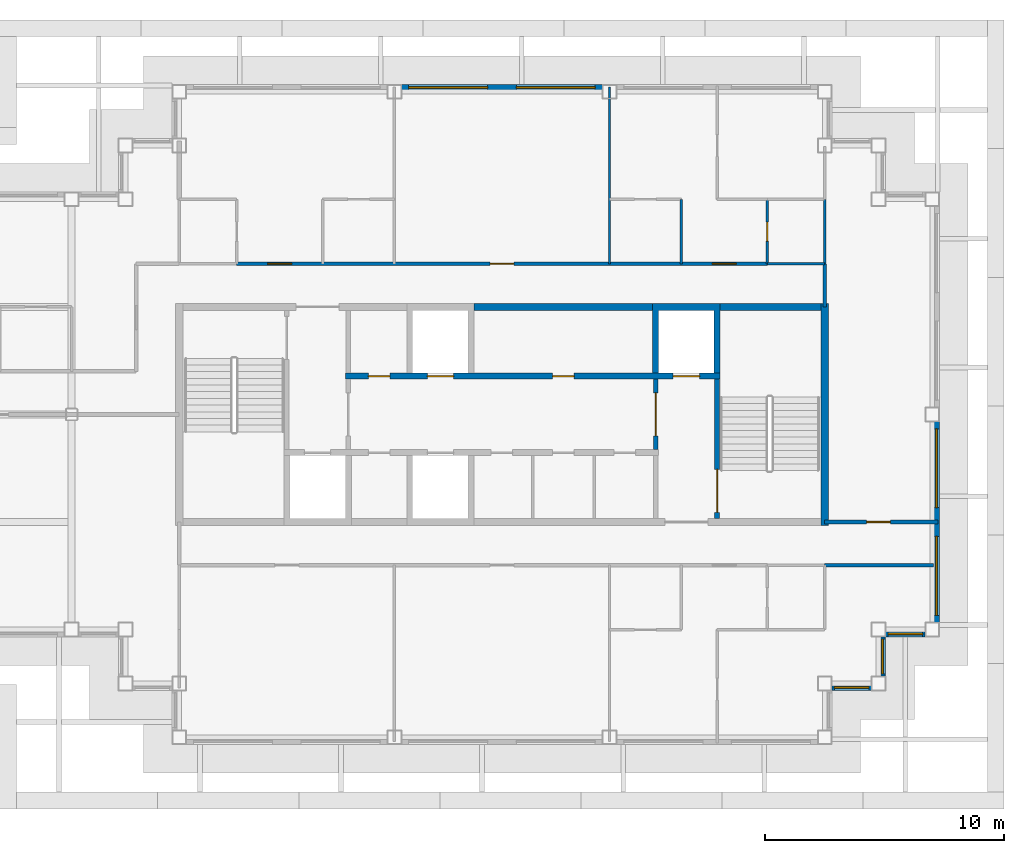
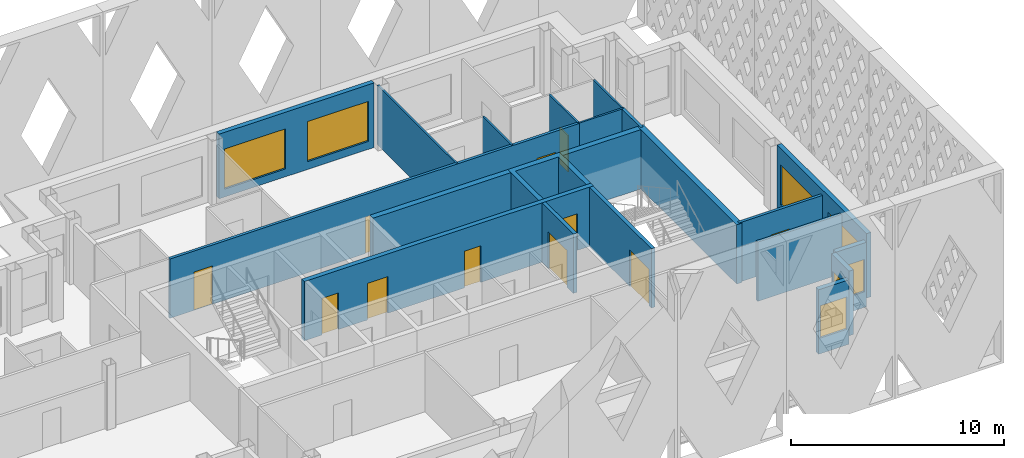
# One storey, part 5 of 13: 21 walls, 11 doors, 7 windows, 18 openings.
"""IFC4 building model written with IfcOpenShell, lengths in metres."""

from ifc_helpers import new_model, si_unit, direction, frame, frame_2d, origin, place, context, subcontext, project, spatial, polyline, rectangle, outline, extrude, material, layer, layer_set, type_object, element, fill, save


model = new_model("IFC4")

# Units and contexts
model_context = context("Model", 3, precision=1e-05, world=origin(), true_north=direction((0.0, 1.0)))
body_context = subcontext(model_context, "Body", "Model", "MODEL_VIEW")
ifc_project = project(units=[si_unit("LENGTHUNIT", "METRE"), si_unit("AREAUNIT", "SQUARE_METRE"), si_unit("VOLUMEUNIT", "CUBIC_METRE"), si_unit("PLANEANGLEUNIT", "RADIAN"), si_unit("MASSUNIT", "GRAM", prefix="KILO")], contexts=[model_context])

# Site, building, storey
site_placement = place(None, origin())
site = spatial("IfcSite", under=ifc_project, at=site_placement, CompositionType="ELEMENT")
building_placement = place(site_placement, origin())
building = spatial("IfcBuilding", under=site, at=building_placement, Name="Caravel Reach Hotel and Residences", CompositionType="ELEMENT")
storey_placement = place(building_placement, frame((0.0, 0.0, 267.5)))
storey = spatial("IfcBuildingStorey", under=building, at=storey_placement, Name="L68", CompositionType="ELEMENT", Elevation=267.5)

# Wall
ifc_material_1 = material(Name="Gypsum board on steel stud", Category="steel")
ifc_layer_1 = layer(ifc_material_1, 0.10009765625)
ifc_layer_set_1 = layer_set([ifc_layer_1], Name="Bathroom pod wall 100 mm")
wall_type_1 = type_object("IfcWallType", Name="Bathroom pod wall 100 mm", PredefinedType="PARTITIONING", material=ifc_layer_set_1)
wall_1_placement = place(storey_placement, frame((42.60009765625, 33.300048828125, 0.0), z_axis=(0.0, 0.0, 1.0), x_axis=(1.0, 0.0, 0.0)))
element("IfcWall", 1, at=wall_1_placement, inside=storey, type_object=wall_type_1, Name="L68 wall w055", PredefinedType="PARTITIONING", context=body_context, shape_type="SweptSolid", body=[
    extrude(rectangle(XDim=2.39990234375, YDim=0.10009765625, at=frame_2d((1.199951171875, 0.0))), origin(), (0.0, 0.0, 1.0), 3.39990234375),
])

# Wall, opening, door
wall_2_placement = place(storey_placement, frame((42.60009765625, 33.300048828125, 0.0), z_axis=(0.0, 0.0, 1.0), x_axis=(0.0, 1.0, 0.0)))
wall_2 = element("IfcWall", 2, at=wall_2_placement, inside=storey, type_object=wall_type_1, Name="L68 wall w061", PredefinedType="PARTITIONING", context=body_context, shape_type="SweptSolid", body=[
    extrude(rectangle(XDim=2.699951171875, YDim=0.10009765625, at=frame_2d((1.35009765625, 0.0))), origin(), (0.0, 0.0, 1.0), 3.39990234375),
])
opening_1_placement = place(wall_2_placement, frame((0.949951171875, 0.0, 0.0)))
opening_1 = element("IfcOpeningElement", 3, at=opening_1_placement, cuts=wall_2, Name="Opening D68-023", PredefinedType="OPENING", context=body_context, shape_type="SweptSolid", body=[
    extrude(rectangle(XDim=0.800048828125, YDim=2.10009765625, at=frame_2d((0.39990234375, 1.050048828125))), frame((0.0, 0.06005859375, 0.0), z_axis=(0.0, -1.0, 0.0), x_axis=(1.0, 0.0, 0.0)), (0.0, 0.0, 1.0), 0.1201171875),
])
ifc_material_2 = material(Name="Timber and steel door leaf", Category="steel")
door_type_1 = type_object("IfcDoorType", Name="Bathroom door 800 x 2100", OperationType="SINGLE_SWING_LEFT", PredefinedType="DOOR", material=ifc_material_2)
door_1_placement = place(opening_1_placement, origin())
door_1 = element("IfcDoor", 4, at=door_1_placement, inside=storey, type_object=door_type_1, Name="door D68-023", OperationType="SINGLE_SWING_LEFT", OverallHeight=2.10009765625, OverallWidth=0.800048828125, PredefinedType="DOOR", context=body_context, shape_type="SweptSolid", body=[
    extrude(rectangle(XDim=0.800048828125, YDim=2.10009765625, at=frame_2d((0.39990234375, 1.050048828125))), frame((0.0, 0.02490234375, 0.0), z_axis=(0.0, -1.0, 0.0), x_axis=(1.0, 0.0, 0.0)), (0.0, 0.0, 1.0), 0.050048828125),
])
fill(opening_1, door_1)

# Walls
wall_3_placement = place(storey_placement, frame((45.0, 33.300048828125, 0.0), z_axis=(0.0, 0.0, 1.0), x_axis=(0.0, 1.0, 0.0)))
element("IfcWall", 5, at=wall_3_placement, inside=storey, type_object=wall_type_1, Name="L68 wall w063", PredefinedType="PARTITIONING", context=body_context, shape_type="SweptSolid", body=[
    extrude(rectangle(XDim=2.699951171875, YDim=0.10009765625, at=frame_2d((1.35009765625, 0.0))), origin(), (0.0, 0.0, 1.0), 3.39990234375),
])
ifc_material_3 = material(Name="Concrete C60", Category="concrete")
ifc_layer_2 = layer(ifc_material_3, 0.300048828125)
ifc_layer_set_2 = layer_set([ifc_layer_2], Name="Core wall 300 mm EI 120")
wall_type_2 = type_object("IfcWallType", Name="Core wall 300 mm EI 120", PredefinedType="SHEAR", material=ifc_layer_set_2)
wall_4_placement = place(storey_placement, frame((30.33935546875, 31.5, 0.0), z_axis=(0.0, 0.0, 1.0), x_axis=(1.0, 0.0, 0.0)))
element("IfcWall", 6, at=wall_4_placement, inside=storey, type_object=wall_type_2, Name="L68 core wall N2", PredefinedType="SHEAR", context=body_context, shape_type="SweptSolid", body=[
    extrude(rectangle(XDim=7.464111328125, YDim=0.300048828125, at=frame_2d((3.73193359375, 0.0))), origin(), (0.0, 0.0, 1.0), 3.39990234375),
])
wall_5_placement = place(storey_placement, frame((40.625, 31.5, 0.0), z_axis=(0.0, 0.0, 1.0), x_axis=(1.0, 0.0, 0.0)))
element("IfcWall", 7, at=wall_5_placement, inside=storey, type_object=wall_type_2, Name="L68 core wall N3", PredefinedType="SHEAR", context=body_context, shape_type="SweptSolid", body=[
    extrude(rectangle(XDim=4.22509765625, YDim=0.300048828125, at=frame_2d((2.112548828125, 0.0))), origin(), (0.0, 0.0, 1.0), 3.39990234375),
])
wall_6_placement = place(storey_placement, frame((45.0, 22.35009765625, 0.0), z_axis=(0.0, 0.0, 1.0), x_axis=(0.0, 1.0, 0.0)))
element("IfcWall", 8, at=wall_6_placement, inside=storey, type_object=wall_type_2, Name="L68 core wall E", PredefinedType="SHEAR", context=body_context, shape_type="SweptSolid", body=[
    extrude(rectangle(XDim=9.2998046875, YDim=0.300048828125, at=frame_2d((4.64990234375, 0.0))), origin(), (0.0, 0.0, 1.0), 3.39990234375),
])
ifc_material_4 = material(Name="Gypsum board on steel stud, fire-rated", Category="steel")
ifc_layer_3 = layer(ifc_material_4, 0.14990234375)
ifc_layer_set_3 = layer_set([ifc_layer_3], Name="Corridor wall 150 mm EI 60")
wall_type_3 = type_object("IfcWallType", Name="Corridor wall 150 mm EI 60", PredefinedType="PARTITIONING", material=ifc_layer_set_3)
wall_7_placement = place(storey_placement, frame((45.0009765625, 20.699951171875, 0.0), z_axis=(0.0, 0.0, 1.0), x_axis=(1.0, 0.0, 0.0)))
element("IfcWall", 9, at=wall_7_placement, inside=storey, type_object=wall_type_3, Name="L68 wall w003", PredefinedType="PARTITIONING", context=body_context, shape_type="SweptSolid", body=[
    extrude(rectangle(XDim=4.549072265625, YDim=0.14990234375, at=frame_2d((2.2744140625, 0.0))), origin(), (0.0, 0.0, 1.0), 3.39990234375),
])

# Wall, opening, door
wall_8_placement = place(storey_placement, frame((45.0, 22.5, 0.0), z_axis=(0.0, 0.0, 1.0), x_axis=(1.0, 0.0, 0.0)))
wall_8 = element("IfcWall", 10, at=wall_8_placement, inside=storey, type_object=wall_type_3, Name="L68 wall w006", PredefinedType="PARTITIONING", context=body_context, shape_type="SweptSolid", body=[
    extrude(rectangle(XDim=4.739990234375, YDim=0.14990234375, at=frame_2d((2.3701171875, 0.0))), origin(), (0.0, 0.0, 1.0), 3.39990234375),
])
opening_2_placement = place(wall_8_placement, frame((1.75, 0.0, 0.0)))
opening_2 = element("IfcOpeningElement", 11, at=opening_2_placement, cuts=wall_8, Name="Opening D68-037", PredefinedType="OPENING", context=body_context, shape_type="SweptSolid", body=[
    extrude(rectangle(XDim=1.0, YDim=2.10009765625, at=frame_2d((0.5, 1.050048828125))), frame((0.0, 0.0849609375, 0.0), z_axis=(0.0, -1.0, 0.0), x_axis=(1.0, 0.0, 0.0)), (0.0, 0.0, 1.0), 0.169921875),
])
ifc_material_5 = material(Name="Steel fire door leaf", Category="steel")
door_type_2 = type_object("IfcDoorType", Name="Fire door 1000 x 2100 EI 60", OperationType="SINGLE_SWING_LEFT", PredefinedType="DOOR", material=ifc_material_5)
door_2_placement = place(opening_2_placement, origin())
door_2 = element("IfcDoor", 12, at=door_2_placement, inside=storey, type_object=door_type_2, Name="door D68-037", OperationType="SINGLE_SWING_LEFT", OverallHeight=2.10009765625, OverallWidth=1.0, PredefinedType="DOOR", context=body_context, shape_type="SweptSolid", body=[
    extrude(rectangle(XDim=1.0, YDim=2.10009765625, at=frame_2d((0.5, 1.050048828125))), frame((0.0, 0.02490234375, 0.0), z_axis=(0.0, -1.0, 0.0), x_axis=(1.0, 0.0, 0.0)), (0.0, 0.0, 1.0), 0.050048828125),
])
fill(opening_2, door_2)

# Wall, openings, doors
wall_9_placement = place(storey_placement, frame((20.39990234375, 33.300048828125, 0.0), z_axis=(0.0, 0.0, 1.0), x_axis=(1.0, 0.0, 0.0)))
wall_9 = element("IfcWall", 13, at=wall_9_placement, inside=storey, type_object=wall_type_3, Name="L68 wall w011", PredefinedType="PARTITIONING", context=body_context, shape_type="SweptSolid", body=[
    extrude(rectangle(XDim=22.2001953125, YDim=0.14990234375, at=frame_2d((11.10009765625, 0.0))), origin(), (0.0, 0.0, 1.0), 3.39990234375),
])
opening_3_placement = place(wall_9_placement, frame((1.300048828125, 0.0, 0.0)))
opening_3 = element("IfcOpeningElement", 14, at=opening_3_placement, cuts=wall_9, Name="Opening D68-017", PredefinedType="OPENING", context=body_context, shape_type="SweptSolid", body=[
    extrude(rectangle(XDim=1.0, YDim=2.199951171875, at=frame_2d((0.5, 1.10009765625))), frame((0.0, 0.0849609375, 0.0), z_axis=(0.0, -1.0, 0.0), x_axis=(1.0, 0.0, 0.0)), (0.0, 0.0, 1.0), 0.169921875),
])
opening_4_placement = place(wall_9_placement, frame((10.60009765625, 0.0, 0.0)))
opening_4 = element("IfcOpeningElement", 15, at=opening_4_placement, cuts=wall_9, Name="Opening D68-020", PredefinedType="OPENING", context=body_context, shape_type="SweptSolid", body=[
    extrude(rectangle(XDim=1.0, YDim=2.10009765625, at=frame_2d((0.5, 1.050048828125))), frame((0.0, 0.0849609375, 0.0), z_axis=(0.0, -1.0, 0.0), x_axis=(1.0, 0.0, 0.0)), (0.0, 0.0, 1.0), 0.169921875),
])
opening_5_placement = place(wall_9_placement, frame((19.900146484375, 0.0, 0.0)))
opening_5 = element("IfcOpeningElement", 16, at=opening_5_placement, cuts=wall_9, Name="Opening D68-021", PredefinedType="OPENING", context=body_context, shape_type="SweptSolid", body=[
    extrude(rectangle(XDim=1.0, YDim=2.199951171875, at=frame_2d((0.5, 1.10009765625))), frame((0.0, 0.0849609375, 0.0), z_axis=(0.0, -1.0, 0.0), x_axis=(1.0, 0.0, 0.0)), (0.0, 0.0, 1.0), 0.169921875),
])
door_3_placement = place(opening_4_placement, origin())
door_3 = element("IfcDoor", 17, at=door_3_placement, inside=storey, type_object=door_type_2, Name="door D68-020", OperationType="SINGLE_SWING_LEFT", OverallHeight=2.10009765625, OverallWidth=1.0, PredefinedType="DOOR", context=body_context, shape_type="SweptSolid", body=[
    extrude(rectangle(XDim=1.0, YDim=2.10009765625, at=frame_2d((0.5, 1.050048828125))), frame((0.0, 0.02490234375, 0.0), z_axis=(0.0, -1.0, 0.0), x_axis=(1.0, 0.0, 0.0)), (0.0, 0.0, 1.0), 0.050048828125),
])
fill(opening_4, door_3)
ifc_material_6 = material(Name="Steel fire door leaf", Category="steel")
door_type_3 = type_object("IfcDoorType", Name="Flat entrance door 1000 x 2200 EI 60", OperationType="SINGLE_SWING_LEFT", PredefinedType="DOOR", material=ifc_material_6)
door_4_placement = place(opening_3_placement, origin())
door_4 = element("IfcDoor", 18, at=door_4_placement, inside=storey, type_object=door_type_3, Name="door D68-017", OperationType="SINGLE_SWING_LEFT", OverallHeight=2.199951171875, OverallWidth=1.0, PredefinedType="DOOR", context=body_context, shape_type="SweptSolid", body=[
    extrude(rectangle(XDim=1.0, YDim=2.199951171875, at=frame_2d((0.5, 1.10009765625))), frame((0.0, 0.02490234375, 0.0), z_axis=(0.0, -1.0, 0.0), x_axis=(1.0, 0.0, 0.0)), (0.0, 0.0, 1.0), 0.050048828125),
])
fill(opening_3, door_4)
door_5_placement = place(opening_5_placement, origin())
door_5 = element("IfcDoor", 19, at=door_5_placement, inside=storey, type_object=door_type_3, Name="door D68-021", OperationType="SINGLE_SWING_RIGHT", OverallHeight=2.199951171875, OverallWidth=1.0, PredefinedType="DOOR", context=body_context, shape_type="SweptSolid", body=[
    extrude(rectangle(XDim=1.0, YDim=2.199951171875, at=frame_2d((0.5, 1.10009765625))), frame((0.0, 0.02490234375, 0.0), z_axis=(0.0, -1.0, 0.0), x_axis=(1.0, 0.0, 0.0)), (0.0, 0.0, 1.0), 0.050048828125),
])
fill(opening_5, door_5)

# Wall
wall_10_placement = place(storey_placement, frame((45.0, 31.5, 0.0), z_axis=(0.0, 0.0, 1.0), x_axis=(0.0, 1.0, 0.0)))
element("IfcWall", 20, at=wall_10_placement, inside=storey, type_object=wall_type_3, Name="L68 wall w020", PredefinedType="PARTITIONING", context=body_context, shape_type="SweptSolid", body=[
    extrude(rectangle(XDim=1.800048828125, YDim=0.14990234375, at=frame_2d((0.89990234375, 0.0))), origin(), (0.0, 0.0, 1.0), 3.39990234375),
])

# Wall, opening, window
ifc_material_7 = material(Name="Insulated rainscreen wall, aluminium cladding", Category="aluminium")
ifc_layer_4 = layer(ifc_material_7, 0.25)
ifc_layer_set_4 = layer_set([ifc_layer_4], Name="EW1 Tower rainscreen wall")
wall_type_4 = type_object("IfcWallType", Name="EW1 Tower rainscreen wall", PredefinedType="SOLIDWALL", material=ifc_layer_set_4)
wall_11_placement = place(storey_placement, frame((45.300048828125, 15.574951171875, 0.0), z_axis=(0.0, 0.0, 1.0), x_axis=(1.0, 0.0, 0.0)))
wall_11 = element("IfcWall", 21, at=wall_11_placement, inside=storey, type_object=wall_type_4, Name="External wall L68 S6.1", PredefinedType="SOLIDWALL", context=body_context, shape_type="SweptSolid", body=[
    extrude(rectangle(XDim=1.64990234375, YDim=0.25, at=frame_2d((0.824951171875, 0.0))), origin(), (0.0, 0.0, 1.0), 3.699951171875),
])
opening_6_placement = place(wall_11_placement, frame((0.10009765625, 0.0, 0.89990234375)))
opening_6 = element("IfcOpeningElement", 22, at=opening_6_placement, cuts=wall_11, Name="Opening WN25", PredefinedType="OPENING", context=body_context, shape_type="SweptSolid", body=[
    extrude(rectangle(XDim=1.449951171875, YDim=1.85009765625, at=frame_2d((0.72509765625, 0.925048828125))), frame((0.0, 0.135009765625, 0.0), z_axis=(0.0, -1.0, 0.0), x_axis=(1.0, 0.0, 0.0)), (0.0, 0.0, 1.0), 0.27001953125),
])
ifc_material_8 = material(Name="Dark low-e glazing in black aluminium frame", Category="aluminium")
window_type_1 = type_object("IfcWindowType", Name="Residence bedroom window 1450 x 1850", PartitioningType="SINGLE_PANEL", PredefinedType="WINDOW", material=ifc_material_8)
window_1_placement = place(opening_6_placement, origin())
window_1 = element("IfcWindow", 23, at=window_1_placement, inside=storey, type_object=window_type_1, Name="Window L68 S6.1.1", OverallHeight=1.85009765625, OverallWidth=1.449951171875, PartitioningType="SINGLE_PANEL", PredefinedType="WINDOW", context=body_context, shape_type="SweptSolid", body=[
    extrude(rectangle(XDim=1.449951171875, YDim=1.85009765625, at=frame_2d((0.72509765625, 0.925048828125))), frame((0.0, 0.030029296875, 0.0), z_axis=(0.0, -1.0, 0.0), x_axis=(1.0, 0.0, 0.0)), (0.0, 0.0, 1.0), 0.06005859375),
])
fill(opening_6, window_1)

wall_12_placement = place(storey_placement, frame((47.425048828125, 16.050048828125, 0.0), z_axis=(0.0, 0.0, 1.0), x_axis=(0.0, 1.0, 0.0)))
wall_12 = element("IfcWall", 24, at=wall_12_placement, inside=storey, type_object=wall_type_4, Name="External wall L68 E7.1", PredefinedType="SOLIDWALL", context=body_context, shape_type="SweptSolid", body=[
    extrude(rectangle(XDim=1.64990234375, YDim=0.25, at=frame_2d((0.824951171875, 0.0))), origin(), (0.0, 0.0, 1.0), 3.699951171875),
])
opening_7_placement = place(wall_12_placement, frame((0.10009765625, 0.0, 0.89990234375)))
opening_7 = element("IfcOpeningElement", 25, at=opening_7_placement, cuts=wall_12, Name="Opening WN25", PredefinedType="OPENING", context=body_context, shape_type="SweptSolid", body=[
    extrude(rectangle(XDim=1.449951171875, YDim=1.85009765625, at=frame_2d((0.72509765625, 0.925048828125))), frame((0.0, 0.135009765625, 0.0), z_axis=(0.0, -1.0, 0.0), x_axis=(1.0, 0.0, 0.0)), (0.0, 0.0, 1.0), 0.27001953125),
])
window_2_placement = place(opening_7_placement, origin())
window_2 = element("IfcWindow", 26, at=window_2_placement, inside=storey, type_object=window_type_1, Name="Window L68 E7.1.1", OverallHeight=1.85009765625, OverallWidth=1.449951171875, PartitioningType="SINGLE_PANEL", PredefinedType="WINDOW", context=body_context, shape_type="SweptSolid", body=[
    extrude(rectangle(XDim=1.449951171875, YDim=1.85009765625, at=frame_2d((0.72509765625, 0.925048828125))), frame((0.0, 0.030029296875, 0.0), z_axis=(0.0, -1.0, 0.0), x_axis=(1.0, 0.0, 0.0)), (0.0, 0.0, 1.0), 0.06005859375),
])
fill(opening_7, window_2)

wall_13_placement = place(storey_placement, frame((47.550048828125, 17.824951171875, 0.0), z_axis=(0.0, 0.0, 1.0), x_axis=(1.0, 0.0, 0.0)))
wall_13 = element("IfcWall", 27, at=wall_13_placement, inside=storey, type_object=wall_type_4, Name="External wall L68 S8.1", PredefinedType="SOLIDWALL", context=body_context, shape_type="SweptSolid", body=[
    extrude(rectangle(XDim=1.64990234375, YDim=0.25, at=frame_2d((0.824951171875, 0.0))), origin(), (0.0, 0.0, 1.0), 3.699951171875),
])
opening_8_placement = place(wall_13_placement, frame((0.10009765625, 0.0, 0.89990234375)))
opening_8 = element("IfcOpeningElement", 28, at=opening_8_placement, cuts=wall_13, Name="Opening WN25", PredefinedType="OPENING", context=body_context, shape_type="SweptSolid", body=[
    extrude(rectangle(XDim=1.449951171875, YDim=1.85009765625, at=frame_2d((0.72509765625, 0.925048828125))), frame((0.0, 0.135009765625, 0.0), z_axis=(0.0, -1.0, 0.0), x_axis=(1.0, 0.0, 0.0)), (0.0, 0.0, 1.0), 0.27001953125),
])
window_3_placement = place(opening_8_placement, origin())
window_3 = element("IfcWindow", 29, at=window_3_placement, inside=storey, type_object=window_type_1, Name="Window L68 S8.1.1", OverallHeight=1.85009765625, OverallWidth=1.449951171875, PartitioningType="SINGLE_PANEL", PredefinedType="WINDOW", context=body_context, shape_type="SweptSolid", body=[
    extrude(rectangle(XDim=1.449951171875, YDim=1.85009765625, at=frame_2d((0.72509765625, 0.925048828125))), frame((0.0, 0.030029296875, 0.0), z_axis=(0.0, -1.0, 0.0), x_axis=(1.0, 0.0, 0.0)), (0.0, 0.0, 1.0), 0.06005859375),
])
fill(opening_8, window_3)

# Wall, openings, windows
wall_14_placement = place(storey_placement, frame((49.675048828125, 18.300048828125, 0.0), z_axis=(0.0, 0.0, 1.0), x_axis=(0.0, 1.0, 0.0)))
wall_14 = element("IfcWall", 30, at=wall_14_placement, inside=storey, type_object=wall_type_4, Name="External wall L68 E9.1", PredefinedType="SOLIDWALL", context=body_context, shape_type="SweptSolid", body=[
    extrude(rectangle(XDim=8.39990234375, YDim=0.25, at=frame_2d((4.199951171875, 0.0))), origin(), (0.0, 0.0, 1.0), 3.699951171875),
])
opening_9_placement = place(wall_14_placement, frame((0.300048828125, 0.0, 0.449951171875)))
opening_9 = element("IfcOpeningElement", 31, at=opening_9_placement, cuts=wall_14, Name="Opening WN15", PredefinedType="OPENING", context=body_context, shape_type="SweptSolid", body=[
    extrude(rectangle(XDim=3.300048828125, YDim=2.300048828125, at=frame_2d((1.64990234375, 1.14990234375))), frame((0.0, 0.135009765625, 0.0), z_axis=(0.0, -1.0, 0.0), x_axis=(1.0, 0.0, 0.0)), (0.0, 0.0, 1.0), 0.27001953125),
])
opening_10_placement = place(wall_14_placement, frame((4.800048828125, 0.0, 0.449951171875)))
opening_10 = element("IfcOpeningElement", 32, at=opening_10_placement, cuts=wall_14, Name="Opening WN15", PredefinedType="OPENING", context=body_context, shape_type="SweptSolid", body=[
    extrude(rectangle(XDim=3.300048828125, YDim=2.300048828125, at=frame_2d((1.64990234375, 1.14990234375))), frame((0.0, 0.135009765625, 0.0), z_axis=(0.0, -1.0, 0.0), x_axis=(1.0, 0.0, 0.0)), (0.0, 0.0, 1.0), 0.27001953125),
])
ifc_material_9 = material(Name="Dark low-e glazing in black aluminium frame", Category="aluminium")
window_type_2 = type_object("IfcWindowType", Name="Residence living window 3300 x 2300", PartitioningType="SINGLE_PANEL", PredefinedType="WINDOW", material=ifc_material_9)
window_4_placement = place(opening_9_placement, origin())
window_4 = element("IfcWindow", 33, at=window_4_placement, inside=storey, type_object=window_type_2, Name="Window L68 E9.1.1", OverallHeight=2.300048828125, OverallWidth=3.300048828125, PartitioningType="SINGLE_PANEL", PredefinedType="WINDOW", context=body_context, shape_type="SweptSolid", body=[
    extrude(rectangle(XDim=3.300048828125, YDim=2.300048828125, at=frame_2d((1.64990234375, 1.14990234375))), frame((0.0, 0.030029296875, 0.0), z_axis=(0.0, -1.0, 0.0), x_axis=(1.0, 0.0, 0.0)), (0.0, 0.0, 1.0), 0.06005859375),
])
fill(opening_9, window_4)
window_5_placement = place(opening_10_placement, origin())
window_5 = element("IfcWindow", 34, at=window_5_placement, inside=storey, type_object=window_type_2, Name="Window L68 E9.1.2", OverallHeight=2.300048828125, OverallWidth=3.300048828125, PartitioningType="SINGLE_PANEL", PredefinedType="WINDOW", context=body_context, shape_type="SweptSolid", body=[
    extrude(rectangle(XDim=3.300048828125, YDim=2.300048828125, at=frame_2d((1.64990234375, 1.14990234375))), frame((0.0, 0.030029296875, 0.0), z_axis=(0.0, -1.0, 0.0), x_axis=(1.0, 0.0, 0.0)), (0.0, 0.0, 1.0), 0.06005859375),
])
fill(opening_10, window_5)

wall_15_placement = place(storey_placement, frame((35.699951171875, 40.675048828125, 0.0), z_axis=(0.0, 0.0, 1.0), x_axis=(-1.0, 0.0, 0.0)))
wall_15 = element("IfcWall", 35, at=wall_15_placement, inside=storey, type_object=wall_type_4, Name="External wall L68 N14.2", PredefinedType="SOLIDWALL", context=body_context, shape_type="SweptSolid", body=[
    extrude(rectangle(XDim=8.39990234375, YDim=0.25, at=frame_2d((4.199951171875, 0.0))), origin(), (0.0, 0.0, 1.0), 3.699951171875),
])
opening_11_placement = place(wall_15_placement, frame((0.300048828125, 0.0, 0.449951171875)))
opening_11 = element("IfcOpeningElement", 36, at=opening_11_placement, cuts=wall_15, Name="Opening WN15", PredefinedType="OPENING", context=body_context, shape_type="SweptSolid", body=[
    extrude(rectangle(XDim=3.300048828125, YDim=2.300048828125, at=frame_2d((1.64990234375, 1.14990234375))), frame((0.0, 0.135009765625, 0.0), z_axis=(0.0, -1.0, 0.0), x_axis=(1.0, 0.0, 0.0)), (0.0, 0.0, 1.0), 0.27001953125),
])
opening_12_placement = place(wall_15_placement, frame((4.800048828125, 0.0, 0.449951171875)))
opening_12 = element("IfcOpeningElement", 37, at=opening_12_placement, cuts=wall_15, Name="Opening WN15", PredefinedType="OPENING", context=body_context, shape_type="SweptSolid", body=[
    extrude(rectangle(XDim=3.300048828125, YDim=2.300048828125, at=frame_2d((1.64990234375, 1.14990234375))), frame((0.0, 0.135009765625, 0.0), z_axis=(0.0, -1.0, 0.0), x_axis=(1.0, 0.0, 0.0)), (0.0, 0.0, 1.0), 0.27001953125),
])
window_6_placement = place(opening_11_placement, origin())
window_6 = element("IfcWindow", 38, at=window_6_placement, inside=storey, type_object=window_type_2, Name="Window L68 N14.2.1", OverallHeight=2.300048828125, OverallWidth=3.300048828125, PartitioningType="SINGLE_PANEL", PredefinedType="WINDOW", context=body_context, shape_type="SweptSolid", body=[
    extrude(rectangle(XDim=3.300048828125, YDim=2.300048828125, at=frame_2d((1.64990234375, 1.14990234375))), frame((0.0, 0.030029296875, 0.0), z_axis=(0.0, -1.0, 0.0), x_axis=(1.0, 0.0, 0.0)), (0.0, 0.0, 1.0), 0.06005859375),
])
fill(opening_11, window_6)
window_7_placement = place(opening_12_placement, origin())
window_7 = element("IfcWindow", 39, at=window_7_placement, inside=storey, type_object=window_type_2, Name="Window L68 N14.2.2", OverallHeight=2.300048828125, OverallWidth=3.300048828125, PartitioningType="SINGLE_PANEL", PredefinedType="WINDOW", context=body_context, shape_type="SweptSolid", body=[
    extrude(rectangle(XDim=3.300048828125, YDim=2.300048828125, at=frame_2d((1.64990234375, 1.14990234375))), frame((0.0, 0.030029296875, 0.0), z_axis=(0.0, -1.0, 0.0), x_axis=(1.0, 0.0, 0.0)), (0.0, 0.0, 1.0), 0.06005859375),
])
fill(opening_12, window_7)

# Wall, opening, door
ifc_material_10 = material(Name="Autoclaved aerated block wall")
ifc_layer_5 = layer(ifc_material_10, 0.199951171875)
ifc_layer_set_5 = layer_set([ifc_layer_5], Name="Fire lobby wall 200 mm EI 120")
wall_type_5 = type_object("IfcWallType", Name="Fire lobby wall 200 mm EI 120", PredefinedType="PARTITIONING", material=ifc_layer_set_5)
wall_16_placement = place(storey_placement, frame((37.928466796875, 25.52490234375, 0.0), z_axis=(0.0, 0.0, 1.0), x_axis=(0.0, 1.0, 0.0)))
wall_16 = element("IfcWall", 40, at=wall_16_placement, inside=storey, type_object=wall_type_5, Name="L68 lobby E wall", PredefinedType="PARTITIONING", context=body_context, shape_type="SweptSolid", body=[
    extrude(rectangle(XDim=2.9501953125, YDim=0.199951171875, at=frame_2d((1.47509765625, 0.0))), origin(), (0.0, 0.0, 1.0), 3.39990234375),
])
opening_13_placement = place(wall_16_placement, frame((0.574951171875, 0.0, 0.0)))
opening_13 = element("IfcOpeningElement", 41, at=opening_13_placement, cuts=wall_16, Name="Opening D68-014", PredefinedType="OPENING", context=body_context, shape_type="SweptSolid", body=[
    extrude(rectangle(XDim=1.800048828125, YDim=2.10009765625, at=frame_2d((0.89990234375, 1.050048828125))), frame((0.0, 0.10986328125, 0.0), z_axis=(0.0, -1.0, 0.0), x_axis=(1.0, 0.0, 0.0)), (0.0, 0.0, 1.0), 0.219970703125),
])
ifc_material_11 = material(Name="Steel fire door leaf", Category="steel")
door_type_4 = type_object("IfcDoorType", Name="Fire lobby door pair 1800 x 2100 EI 90", OperationType="DOUBLE_DOOR_SINGLE_SWING", PredefinedType="DOOR", material=ifc_material_11)
door_6_placement = place(opening_13_placement, origin())
door_6 = element("IfcDoor", 42, at=door_6_placement, inside=storey, type_object=door_type_4, Name="lobby E door pair", OperationType="DOUBLE_DOOR_SINGLE_SWING", OverallHeight=2.10009765625, OverallWidth=1.800048828125, PredefinedType="DOOR", context=body_context, shape_type="SweptSolid", body=[
    extrude(rectangle(XDim=1.800048828125, YDim=2.10009765625, at=frame_2d((0.89990234375, 1.050048828125))), frame((0.0, 0.02490234375, 0.0), z_axis=(0.0, -1.0, 0.0), x_axis=(1.0, 0.0, 0.0)), (0.0, 0.0, 1.0), 0.050048828125),
])
fill(opening_13, door_6)

# Walls
ifc_material_12 = material(Name="Gypsum board on steel stud", Category="steel")
ifc_layer_6 = layer(ifc_material_12, 0.10009765625)
ifc_layer_set_6 = layer_set([ifc_layer_6], Name="Partition 100 mm")
wall_type_6 = type_object("IfcWallType", Name="Partition 100 mm", PredefinedType="PARTITIONING", material=ifc_layer_set_6)
wall_17_placement = place(storey_placement, frame((36.0, 33.300048828125, 0.0), z_axis=(0.0, 0.0, 1.0), x_axis=(0.0, 1.0, 0.0)))
element("IfcWall", 43, at=wall_17_placement, inside=storey, type_object=wall_type_6, Name="L68 wall w038", PredefinedType="PARTITIONING", context=body_context, shape_type="SweptSolid", body=[
    extrude(rectangle(XDim=7.389892578125, YDim=0.10009765625, at=frame_2d((3.69482421875, 0.0))), origin(), (0.0, 0.0, 1.0), 3.39990234375),
])
wall_18_placement = place(storey_placement, frame((39.0, 33.300048828125, 0.0), z_axis=(0.0, 0.0, 1.0), x_axis=(0.0, 1.0, 0.0)))
element("IfcWall", 44, at=wall_18_placement, inside=storey, type_object=wall_type_6, Name="L68 wall w041", PredefinedType="PARTITIONING", context=body_context, shape_type="SweptSolid", body=[
    extrude(rectangle(XDim=2.699951171875, YDim=0.10009765625, at=frame_2d((1.35009765625, 0.0))), origin(), (0.0, 0.0, 1.0), 3.39990234375),
])
ifc_material_13 = material(Name="Concrete C60", Category="concrete")
ifc_layer_7 = layer(ifc_material_13, 0.25)
ifc_layer_set_7 = layer_set([ifc_layer_7], Name="Shaft wall 250 mm EI 120")
wall_type_7 = type_object("IfcWallType", Name="Shaft wall 250 mm EI 120", PredefinedType="SHEAR", material=ifc_layer_set_7)
wall_19_placement = place(storey_placement, origin())
element("IfcWall", 45, at=wall_19_placement, inside=storey, type_object=wall_type_7, Name="L68 lift shaft wall N2", PredefinedType="SHEAR", context=body_context, shape_type="SweptSolid", body=[
    extrude(outline(polyline([(37.803466796875, 28.72509765625), (38.053466796875, 28.72509765625), (38.053466796875, 31.35009765625), (40.375, 31.35009765625), (40.375, 28.72509765625), (40.625, 28.72509765625), (40.625, 31.64990234375), (37.803466796875, 31.64990234375), (37.803466796875, 28.72509765625)])), origin(), (0.0, 0.0, 1.0), 3.39990234375),
])

# Wall, openings, doors
wall_20_placement = place(storey_placement, frame((24.946533203125, 28.60009765625, 0.0), z_axis=(0.0, 0.0, 1.0), x_axis=(1.0, 0.0, 0.0)))
wall_20 = element("IfcWall", 46, at=wall_20_placement, inside=storey, type_object=wall_type_7, Name="L68 lobby wall N1", PredefinedType="SHEAR", context=body_context, shape_type="SweptSolid", body=[
    extrude(rectangle(XDim=15.678466796875, YDim=0.25, at=frame_2d((7.83935546875, 0.0))), origin(), (0.0, 0.0, 1.0), 3.39990234375),
])
opening_14_placement = place(wall_20_placement, frame((3.43212890625, 0.0, 0.0)))
opening_14 = element("IfcOpeningElement", 47, at=opening_14_placement, cuts=wall_20, Name="Opening D68-002", PredefinedType="OPENING", context=body_context, shape_type="SweptSolid", body=[
    extrude(rectangle(XDim=1.10009765625, YDim=2.10009765625, at=frame_2d((0.550048828125, 1.050048828125))), frame((0.0, 0.135009765625, 0.0), z_axis=(0.0, -1.0, 0.0), x_axis=(1.0, 0.0, 0.0)), (0.0, 0.0, 1.0), 0.27001953125),
])
opening_15_placement = place(wall_20_placement, frame((13.718017578125, 0.0, 0.0)))
opening_15 = element("IfcOpeningElement", 48, at=opening_15_placement, cuts=wall_20, Name="Opening D68-004", PredefinedType="OPENING", context=body_context, shape_type="SweptSolid", body=[
    extrude(rectangle(XDim=1.10009765625, YDim=2.10009765625, at=frame_2d((0.550048828125, 1.050048828125))), frame((0.0, 0.135009765625, 0.0), z_axis=(0.0, -1.0, 0.0), x_axis=(1.0, 0.0, 0.0)), (0.0, 0.0, 1.0), 0.27001953125),
])
opening_16_placement = place(wall_20_placement, frame((0.960693359375, 0.0, 0.0)))
opening_16 = element("IfcOpeningElement", 49, at=opening_16_placement, cuts=wall_20, Name="Opening D68-009", PredefinedType="OPENING", context=body_context, shape_type="SweptSolid", body=[
    extrude(rectangle(XDim=0.89990234375, YDim=2.10009765625, at=frame_2d((0.449951171875, 1.050048828125))), frame((0.0, 0.135009765625, 0.0), z_axis=(0.0, -1.0, 0.0), x_axis=(1.0, 0.0, 0.0)), (0.0, 0.0, 1.0), 0.27001953125),
])
opening_17_placement = place(wall_20_placement, frame((8.675048828125, 0.0, 0.0)))
opening_17 = element("IfcOpeningElement", 50, at=opening_17_placement, cuts=wall_20, Name="Opening D68-010", PredefinedType="OPENING", context=body_context, shape_type="SweptSolid", body=[
    extrude(rectangle(XDim=0.89990234375, YDim=2.10009765625, at=frame_2d((0.449951171875, 1.050048828125))), frame((0.0, 0.135009765625, 0.0), z_axis=(0.0, -1.0, 0.0), x_axis=(1.0, 0.0, 0.0)), (0.0, 0.0, 1.0), 0.27001953125),
])
ifc_material_14 = material(Name="Stainless steel landing door", Category="steel")
door_type_5 = type_object("IfcDoorType", Name="Landing door LD 1100 x 2100 sliding", OperationType="DOUBLE_DOOR_SLIDING", PredefinedType="DOOR", material=ifc_material_14)
door_7_placement = place(opening_14_placement, origin())
door_7 = element("IfcDoor", 51, at=door_7_placement, inside=storey, type_object=door_type_5, Name="HP2 landing door", OperationType="DOUBLE_DOOR_SLIDING", OverallHeight=2.10009765625, OverallWidth=1.10009765625, PredefinedType="DOOR", context=body_context, shape_type="SweptSolid", body=[
    extrude(rectangle(XDim=1.10009765625, YDim=2.10009765625, at=frame_2d((0.550048828125, 1.050048828125))), frame((0.0, 0.02490234375, 0.0), z_axis=(0.0, -1.0, 0.0), x_axis=(1.0, 0.0, 0.0)), (0.0, 0.0, 1.0), 0.050048828125),
])
fill(opening_14, door_7)
door_8_placement = place(opening_15_placement, origin())
door_8 = element("IfcDoor", 52, at=door_8_placement, inside=storey, type_object=door_type_5, Name="FL2 landing door", OperationType="DOUBLE_DOOR_SLIDING", OverallHeight=2.10009765625, OverallWidth=1.10009765625, PredefinedType="DOOR", context=body_context, shape_type="SweptSolid", body=[
    extrude(rectangle(XDim=1.10009765625, YDim=2.10009765625, at=frame_2d((0.550048828125, 1.050048828125))), frame((0.0, 0.02490234375, 0.0), z_axis=(0.0, -1.0, 0.0), x_axis=(1.0, 0.0, 0.0)), (0.0, 0.0, 1.0), 0.050048828125),
])
fill(opening_15, door_8)
ifc_material_15 = material(Name="Steel fire door leaf", Category="steel")
door_type_6 = type_object("IfcDoorType", Name="Riser door 900 x 2100 EI 60", OperationType="SINGLE_SWING_LEFT", PredefinedType="DOOR", material=ifc_material_15)
door_9_placement = place(opening_16_placement, origin())
door_9 = element("IfcDoor", 53, at=door_9_placement, inside=storey, type_object=door_type_6, Name="Cleaners' room door", OperationType="SINGLE_SWING_LEFT", OverallHeight=2.10009765625, OverallWidth=0.89990234375, PredefinedType="DOOR", context=body_context, shape_type="SweptSolid", body=[
    extrude(rectangle(XDim=0.89990234375, YDim=2.10009765625, at=frame_2d((0.449951171875, 1.050048828125))), frame((0.0, 0.02490234375, 0.0), z_axis=(0.0, -1.0, 0.0), x_axis=(1.0, 0.0, 0.0)), (0.0, 0.0, 1.0), 0.050048828125),
])
fill(opening_16, door_9)
door_10_placement = place(opening_17_placement, origin())
door_10 = element("IfcDoor", 54, at=door_10_placement, inside=storey, type_object=door_type_6, Name="Electrical riser room door", OperationType="SINGLE_SWING_LEFT", OverallHeight=2.10009765625, OverallWidth=0.89990234375, PredefinedType="DOOR", context=body_context, shape_type="SweptSolid", body=[
    extrude(rectangle(XDim=0.89990234375, YDim=2.10009765625, at=frame_2d((0.449951171875, 1.050048828125))), frame((0.0, 0.02490234375, 0.0), z_axis=(0.0, -1.0, 0.0), x_axis=(1.0, 0.0, 0.0)), (0.0, 0.0, 1.0), 0.050048828125),
])
fill(opening_17, door_10)

# Wall, opening, door
ifc_material_16 = material(Name="Concrete C60", Category="concrete")
ifc_layer_8 = layer(ifc_material_16, 0.199951171875)
ifc_layer_set_8 = layer_set([ifc_layer_8], Name="Stair enclosure wall 200 mm EI 120")
wall_type_8 = type_object("IfcWallType", Name="Stair enclosure wall 200 mm EI 120", PredefinedType="SHEAR", material=ifc_layer_set_8)
wall_21_placement = place(storey_placement, frame((40.5, 22.64990234375, 0.0), z_axis=(0.0, 0.0, 1.0), x_axis=(0.0, 1.0, 0.0)))
wall_21 = element("IfcWall", 55, at=wall_21_placement, inside=storey, type_object=wall_type_8, Name="L68 stair B wall", PredefinedType="SHEAR", context=body_context, shape_type="SweptSolid", body=[
    extrude(rectangle(XDim=5.8251953125, YDim=0.199951171875, at=frame_2d((2.91259765625, 0.0))), origin(), (0.0, 0.0, 1.0), 3.39990234375),
])
opening_18_placement = place(wall_21_placement, frame((0.25, 0.0, 0.0)))
opening_18 = element("IfcOpeningElement", 56, at=opening_18_placement, cuts=wall_21, Name="Opening D68-012", PredefinedType="OPENING", context=body_context, shape_type="SweptSolid", body=[
    extrude(rectangle(XDim=1.800048828125, YDim=2.10009765625, at=frame_2d((0.89990234375, 1.050048828125))), frame((0.0, 0.10986328125, 0.0), z_axis=(0.0, -1.0, 0.0), x_axis=(1.0, 0.0, 0.0)), (0.0, 0.0, 1.0), 0.219970703125),
])
ifc_material_17 = material(Name="Steel fire door leaf", Category="steel")
door_type_7 = type_object("IfcDoorType", Name="Stair door pair 1800 x 2100 EI 90", OperationType="DOUBLE_DOOR_SINGLE_SWING", PredefinedType="DOOR", material=ifc_material_17)
door_11_placement = place(opening_18_placement, origin())
door_11 = element("IfcDoor", 57, at=door_11_placement, inside=storey, type_object=door_type_7, Name="stair B door pair", OperationType="DOUBLE_DOOR_SINGLE_SWING", OverallHeight=2.10009765625, OverallWidth=1.800048828125, PredefinedType="DOOR", context=body_context, shape_type="SweptSolid", body=[
    extrude(rectangle(XDim=1.800048828125, YDim=2.10009765625, at=frame_2d((0.89990234375, 1.050048828125))), frame((0.0, 0.02490234375, 0.0), z_axis=(0.0, -1.0, 0.0), x_axis=(1.0, 0.0, 0.0)), (0.0, 0.0, 1.0), 0.050048828125),
])
fill(opening_18, door_11)

save(model, "model.ifc")
